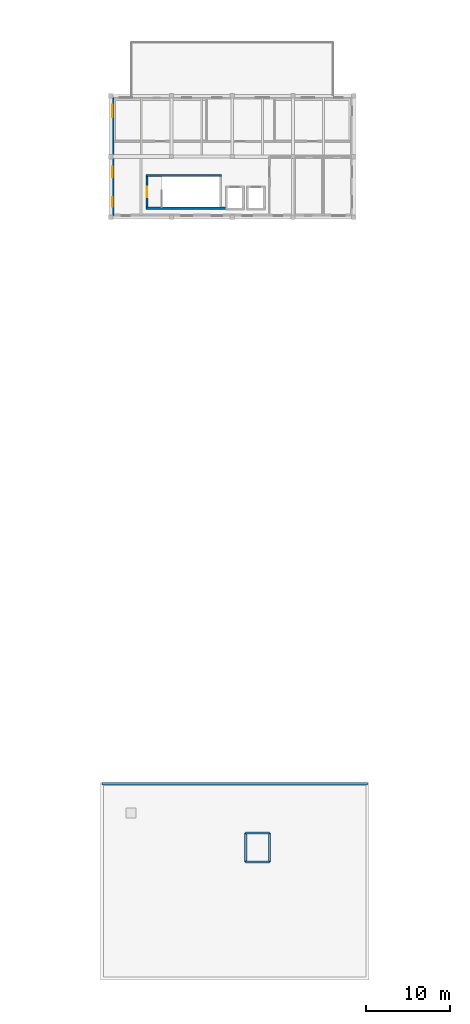
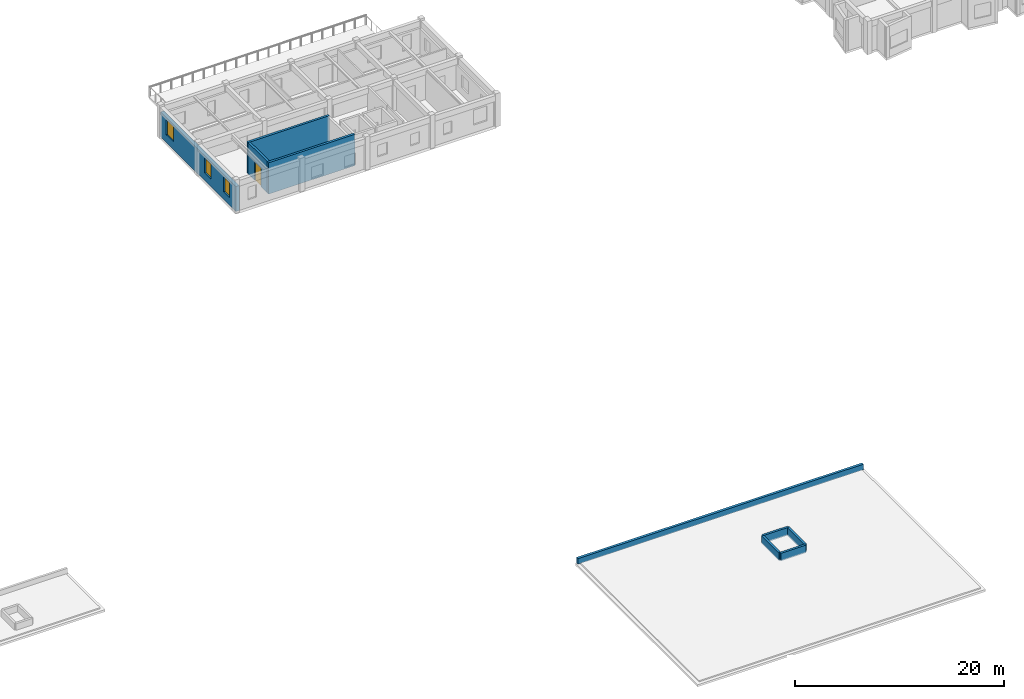
# One storey, part 3 of 12: 9 walls, 3 windows, 1 door, 4 openings.
"""IFC4 building model written with IfcOpenShell, lengths in metres."""

from ifc_helpers import new_model, si_unit, direction, frame, frame_2d, origin, place, context, subcontext, project, spatial, rectangle, extrude, material, layer, layer_set, type_object, element, fill, save


model = new_model("IFC4")

# Units and contexts
model_context = context("Model", 3, precision=1e-05, world=origin(), true_north=direction((0.0, 1.0)))
body_context = subcontext(model_context, "Body", "Model", "MODEL_VIEW")
ifc_project = project(units=[si_unit("LENGTHUNIT", "METRE"), si_unit("AREAUNIT", "SQUARE_METRE"), si_unit("VOLUMEUNIT", "CUBIC_METRE"), si_unit("PLANEANGLEUNIT", "RADIAN"), si_unit("MASSUNIT", "GRAM", prefix="KILO")], contexts=[model_context])

# Site, building, storey
site_placement = place(None, origin())
site = spatial("IfcSite", under=ifc_project, at=site_placement, CompositionType="ELEMENT")
building_placement = place(site_placement, origin())
building = spatial("IfcBuilding", under=site, at=building_placement, Name="Bramveld Media Centre", CompositionType="ELEMENT")
storey_placement = place(building_placement, frame((0.0, 0.0, 21.89990234375)))
storey = spatial("IfcBuildingStorey", under=building, at=storey_placement, Name="L05", CompositionType="ELEMENT", Elevation=21.89990234375)

# Walls
ifc_material_1 = material(Name="Concrete C40/50 stair & lift core wall", Category="concrete")
ifc_layer_1 = layer(ifc_material_1, 0.25)
ifc_layer_set_1 = layer_set([ifc_layer_1], Name="Concrete C40/50 stair & lift core wall")
wall_type_1 = type_object("IfcWallType", Name="CWALL-SHEAR-250", PredefinedType="SHEAR", material=ifc_layer_set_1)
wall_1_placement = place(storey_placement, frame((69.75, 91.47509765625, 0.0), z_axis=(0.0, 0.0, 1.0), x_axis=(1.0, 0.0, 0.0)))
element("IfcWall", 1, at=wall_1_placement, inside=storey, type_object=wall_type_1, Name="ST-07 L05 stair core shear wall S", PredefinedType="SHEAR", context=body_context, shape_type="SweptSolid", body=[
    extrude(rectangle(XDim=9.570068359375, YDim=0.25, at=frame_2d((4.78515625, 0.0))), origin(), (0.0, 0.0, 1.0), 3.66015625),
])
wall_2_placement = place(storey_placement, frame((78.75, 95.375, 0.0), z_axis=(0.0, 0.0, 1.0), x_axis=(-1.0, 0.0, 0.0)))
element("IfcWall", 2, at=wall_2_placement, inside=storey, type_object=wall_type_1, Name="ST-07 L05 stair core shear wall N", PredefinedType="SHEAR", context=body_context, shape_type="SweptSolid", body=[
    extrude(rectangle(XDim=9.0, YDim=0.25, at=frame_2d((4.5, 0.0))), origin(), (0.0, 0.0, 1.0), 3.66015625),
])

# Wall, opening, door
wall_3_placement = place(storey_placement, frame((69.875, 95.25, 0.0), z_axis=(0.0, 0.0, 1.0), x_axis=(0.0, -1.0, 0.0)))
wall_3 = element("IfcWall", 3, at=wall_3_placement, inside=storey, type_object=wall_type_1, Name="ST-07 L05 stair core shear wall W", PredefinedType="SHEAR", context=body_context, shape_type="SweptSolid", body=[
    extrude(rectangle(XDim=3.64990234375, YDim=0.25, at=frame_2d((1.824951171875, 0.0))), origin(), (0.0, 0.0, 1.0), 3.66015625),
])
opening_1_placement = place(wall_3_placement, frame((1.199951171875, 0.0, 0.0)))
opening_1 = element("IfcOpeningElement", 4, at=opening_1_placement, cuts=wall_3, Name="Opening SD-07-L05", PredefinedType="OPENING", context=body_context, shape_type="SweptSolid", body=[
    extrude(rectangle(XDim=1.25, YDim=2.14990234375, at=frame_2d((0.625, 1.074951171875))), frame((0.0, 0.136962890625, 0.0), z_axis=(0.0, -1.0, 0.0), x_axis=(1.0, 0.0, 0.0)), (0.0, 0.0, 1.0), 0.27392578125),
])
ifc_material_2 = material(Name="Painted galvanized steel acoustic fire door with intumescent smoke seals", Category="steel")
door_type = type_object("IfcDoorType", Name="DR-ST-1250", OperationType="NOTDEFINED", PredefinedType="DOOR", material=ifc_material_2)
door_placement = place(opening_1_placement, origin())
door = element("IfcDoor", 5, at=door_placement, inside=storey, type_object=door_type, Name="ST-07 L05 pressurized stair fire door", OperationType="SINGLE_SWING_RIGHT", OverallHeight=2.14990234375, OverallWidth=1.25, PredefinedType="DOOR", context=body_context, shape_type="SweptSolid", body=[
    extrude(rectangle(XDim=1.25, YDim=2.14990234375, at=frame_2d((0.625, 1.074951171875))), frame((0.0, 0.02490234375, 0.0), z_axis=(0.0, -1.0, 0.0), x_axis=(1.0, 0.0, 0.0)), (0.0, 0.0, 1.0), 0.050048828125),
])
fill(opening_1, door)

# Wall, openings, windows
ifc_material_3 = material(Name="Flemish red-brown clay facing brick cavity wall with calcium-silicate backing", Category="masonry")
ifc_layer_2 = layer(ifc_material_3, 0.3798828125)
ifc_layer_set_2 = layer_set([ifc_layer_2], Name="Flemish red-brown clay facing brick cavity wall with calcium-silicate backing")
wall_type_2 = type_object("IfcWallType", Name="EW-BRK-380", PredefinedType="SOLIDWALL", material=ifc_layer_set_2)
wall_4_placement = place(storey_placement, frame((65.7900390625, 90.39990234375, 0.0), z_axis=(0.0, 0.0, 1.0), x_axis=(0.0, 1.0, 0.0)))
wall_4 = element("IfcWall", 6, at=wall_4_placement, inside=storey, type_object=wall_type_2, Name="V6 L05 W facing brick exterior wall", PredefinedType="SOLIDWALL", context=body_context, shape_type="SweptSolid", body=[
    extrude(rectangle(XDim=14.400146484375, YDim=0.3798828125, at=frame_2d((7.2001953125, 0.0))), origin(), (0.0, 0.0, 1.0), 2.9150390625),
])
opening_2_placement = place(wall_4_placement, frame((1.239990234375, 0.0, 0.89990234375)))
opening_2 = element("IfcOpeningElement", 7, at=opening_2_placement, cuts=wall_4, Name="Opening W-20", PredefinedType="OPENING", context=body_context, shape_type="SweptSolid", body=[
    extrude(rectangle(XDim=1.1201171875, YDim=1.75, at=frame_2d((0.56005859375, 0.875))), frame((0.0, 0.201904296875, 0.0), z_axis=(0.0, -1.0, 0.0), x_axis=(1.0, 0.0, 0.0)), (0.0, 0.0, 1.0), 0.40380859375),
])
opening_3_placement = place(wall_4_placement, frame((4.780029296875, 0.0, 0.89990234375)))
opening_3 = element("IfcOpeningElement", 8, at=opening_3_placement, cuts=wall_4, Name="Opening W-21", PredefinedType="OPENING", context=body_context, shape_type="SweptSolid", body=[
    extrude(rectangle(XDim=1.239990234375, YDim=1.75, at=frame_2d((0.6201171875, 0.875))), frame((0.0, 0.201904296875, 0.0), z_axis=(0.0, -1.0, 0.0), x_axis=(1.0, 0.0, 0.0)), (0.0, 0.0, 1.0), 0.40380859375),
])
opening_4_placement = place(wall_4_placement, frame((11.8798828125, 0.0, 0.89990234375)))
opening_4 = element("IfcOpeningElement", 9, at=opening_4_placement, cuts=wall_4, Name="Opening W-23", PredefinedType="OPENING", context=body_context, shape_type="SweptSolid", body=[
    extrude(rectangle(XDim=1.43994140625, YDim=1.75, at=frame_2d((0.719970703125, 0.875))), frame((0.0, 0.201904296875, 0.0), z_axis=(0.0, -1.0, 0.0), x_axis=(1.0, 0.0, 0.0)), (0.0, 0.0, 1.0), 0.40380859375),
])
ifc_material_4 = material(Name="Thermally broken anodized bronze aluminium frame with triple acoustic glazing", Category="aluminium")
window_type_1 = type_object("IfcWindowType", Name="WIN-FAC-20", PartitioningType="SINGLE_PANEL", PredefinedType="WINDOW", material=ifc_material_4)
window_1_placement = place(opening_2_placement, origin())
window_1 = element("IfcWindow", 10, at=window_1_placement, inside=storey, type_object=window_type_1, Name="V6 L05 W acoustic facade window", OverallHeight=1.75, OverallWidth=1.1201171875, PartitioningType="SINGLE_PANEL", PredefinedType="WINDOW", context=body_context, shape_type="SweptSolid", body=[
    extrude(rectangle(XDim=1.1201171875, YDim=1.75, at=frame_2d((0.56005859375, 0.875))), frame((0.0, 0.030029296875, 0.0), z_axis=(0.0, -1.0, 0.0), x_axis=(1.0, 0.0, 0.0)), (0.0, 0.0, 1.0), 0.06005859375),
])
fill(opening_2, window_1)
ifc_material_5 = material(Name="Thermally broken anodized bronze aluminium frame with triple acoustic glazing", Category="aluminium")
window_type_2 = type_object("IfcWindowType", Name="WIN-FAC-21", PartitioningType="SINGLE_PANEL", PredefinedType="WINDOW", material=ifc_material_5)
window_2_placement = place(opening_3_placement, origin())
window_2 = element("IfcWindow", 11, at=window_2_placement, inside=storey, type_object=window_type_2, Name="V6 L05 W acoustic facade window", OverallHeight=1.75, OverallWidth=1.239990234375, PartitioningType="SINGLE_PANEL", PredefinedType="WINDOW", context=body_context, shape_type="SweptSolid", body=[
    extrude(rectangle(XDim=1.239990234375, YDim=1.75, at=frame_2d((0.6201171875, 0.875))), frame((0.0, 0.030029296875, 0.0), z_axis=(0.0, -1.0, 0.0), x_axis=(1.0, 0.0, 0.0)), (0.0, 0.0, 1.0), 0.06005859375),
])
fill(opening_3, window_2)
ifc_material_6 = material(Name="Thermally broken anodized bronze aluminium frame with triple acoustic glazing", Category="aluminium")
window_type_3 = type_object("IfcWindowType", Name="WIN-FAC-23", PartitioningType="SINGLE_PANEL", PredefinedType="WINDOW", material=ifc_material_6)
window_3_placement = place(opening_4_placement, origin())
window_3 = element("IfcWindow", 12, at=window_3_placement, inside=storey, type_object=window_type_3, Name="V6 L05 W acoustic facade window", OverallHeight=1.75, OverallWidth=1.43994140625, PartitioningType="SINGLE_PANEL", PredefinedType="WINDOW", context=body_context, shape_type="SweptSolid", body=[
    extrude(rectangle(XDim=1.43994140625, YDim=1.75, at=frame_2d((0.719970703125, 0.875))), frame((0.0, 0.030029296875, 0.0), z_axis=(0.0, -1.0, 0.0), x_axis=(1.0, 0.0, 0.0)), (0.0, 0.0, 1.0), 0.06005859375),
])
fill(opening_4, window_3)

# Walls
ifc_material_7 = material(Name="Precast concrete C40/50 capped brick roof parapet", Category="masonry")
ifc_layer_3 = layer(ifc_material_7, 0.239990234375)
ifc_layer_set_3 = layer_set([ifc_layer_3], Name="Precast concrete C40/50 capped brick roof parapet")
wall_type_3 = type_object("IfcWallType", Name="PARAPET-240", PredefinedType="PARAPET", material=ifc_layer_set_3)
for number, where, z_axis, x_axis, name in (
    (13, (81.60009765625, 14.0, 0.0), (0.0, 0.0, 1.0), (1.0, 0.0, 0.0), "GL-01 lift shaft overrun housing curb S"),
    (14, (84.39990234375, 17.39990234375, 0.0), (0.0, 0.0, 1.0), (-1.0, 0.0, 0.0), "GL-01 lift shaft overrun housing curb N"),
):
    element("IfcWall", number, at=place(storey_placement, frame(where, z_axis=z_axis, x_axis=x_axis)), inside=storey, type_object=wall_type_3, Name=name, PredefinedType="PARAPET", context=body_context, shape_type="SweptSolid", body=[
        extrude(rectangle(XDim=2.7998046875, YDim=0.239990234375, at=frame_2d((1.39990234375, 0.0))), origin(), (0.0, 0.0, 1.0), 0.900146484375),
    ])
for number, where, z_axis, x_axis, name in (
    (15, (81.60009765625, 17.39990234375, 0.0), (0.0, 0.0, 1.0), (0.0, -1.0, 0.0), "GL-01 lift shaft overrun housing curb W"),
    (16, (84.39990234375, 14.0, 0.0), (0.0, 0.0, 1.0), (0.0, 1.0, 0.0), "GL-01 lift shaft overrun housing curb E"),
):
    element("IfcWall", number, at=place(storey_placement, frame(where, z_axis=z_axis, x_axis=x_axis)), inside=storey, type_object=wall_type_3, Name=name, PredefinedType="PARAPET", context=body_context, shape_type="SweptSolid", body=[
        extrude(rectangle(XDim=3.39990234375, YDim=0.239990234375, at=frame_2d((1.699951171875, 0.0))), origin(), (0.0, 0.0, 1.0), 0.900146484375),
    ])
ifc_material_8 = material(Name="Flemish brick-faced parapet upstand with Concrete C35/45 core", Category="masonry")
ifc_layer_4 = layer(ifc_material_8, 0.280029296875)
ifc_layer_set_4 = layer_set([ifc_layer_4], Name="Flemish brick-faced parapet upstand with Concrete C35/45 core")
wall_type_4 = type_object("IfcWallType", Name="PARAPET-280", PredefinedType="PARAPET", material=ifc_layer_set_4)
wall_5_placement = place(storey_placement, frame((64.550048828125, 23.260009765625, 0.0), z_axis=(0.0, 0.0, 1.0), x_axis=(1.0, 0.0, 0.0)))
element("IfcWall", 17, at=wall_5_placement, inside=storey, type_object=wall_type_4, Name="V5 L05 roof parapet upstand", PredefinedType="PARAPET", context=body_context, shape_type="SweptSolid", body=[
    extrude(rectangle(XDim=31.5, YDim=0.280029296875, at=frame_2d((15.75, 0.0))), origin(), (0.0, 0.0, 1.0), 0.650146484375),
])

save(model, "model.ifc")
